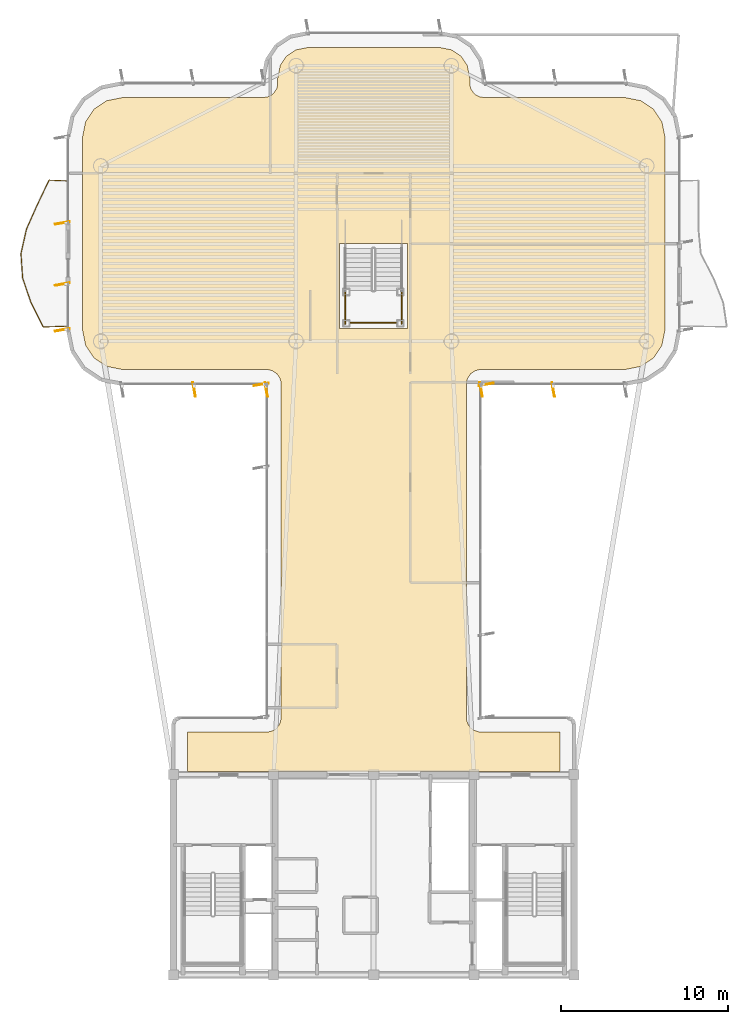
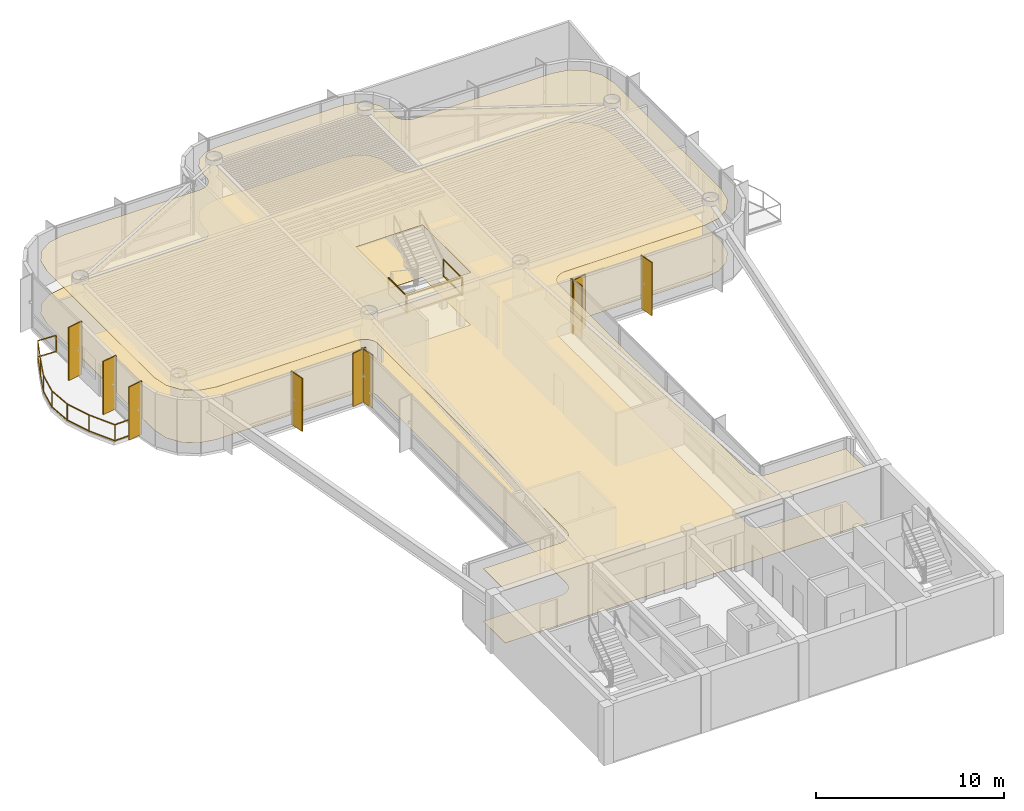
# One storey, part 15 of 17: 9 shading devices, 4 railings, 2 coverings.
"""IFC4 building model written with IfcOpenShell, lengths in metres."""

from ifc_helpers import new_model, si_unit, direction, frame, origin, origin_2d, place, context, subcontext, project, spatial, polyline, rectangle, outline, extrude, source, transform, mapped, material, layer, layer_set, material_profile, profile_set, type_object, element, save


model = new_model("IFC4")

# Units and contexts
model_context = context("Model", 3, precision=1e-05, world=origin(), true_north=direction((0.0, 1.0)))
body_context = subcontext(model_context, "Body", "Model", "MODEL_VIEW")
ifc_project = project(units=[si_unit("LENGTHUNIT", "METRE"), si_unit("AREAUNIT", "SQUARE_METRE"), si_unit("VOLUMEUNIT", "CUBIC_METRE"), si_unit("PLANEANGLEUNIT", "RADIAN"), si_unit("MASSUNIT", "GRAM", prefix="KILO")], contexts=[model_context])

# Site, building, storey
site_placement = place(None, origin())
site = spatial("IfcSite", under=ifc_project, at=site_placement, CompositionType="ELEMENT")
building_placement = place(site_placement, origin())
building = spatial("IfcBuilding", under=site, at=building_placement, Name="Brelvock Crest Care Tower", CompositionType="ELEMENT")
storey_placement = place(building_placement, frame((0.0, 0.0, 287.280029296875)))
storey = spatial("IfcBuildingStorey", under=building, at=storey_placement, Name="L73", CompositionType="ELEMENT", Elevation=287.280029296875)

# Coverings
ifc_material_1 = material(Name="Mineral Fibre Acoustic Ceiling Tile", Category="gypsum")
ifc_layer_1 = layer(ifc_material_1, 0.02490234375, Name="COV-CLG1")
ifc_layer_set_1 = layer_set([ifc_layer_1], Name="Mineral Fibre Acoustic Ceiling Tile")
covering_type_1 = type_object("IfcCoveringType", Name="COV-CLG1", PredefinedType="CEILING", material=ifc_layer_set_1)
covering_1_placement = place(storey_placement, frame((0.0, 0.0, 3.405029296875)))
element("IfcCovering", 1, at=covering_1_placement, inside=storey, type_object=covering_type_1, Name="L73 Acoustic Suspended Ceiling 1", PredefinedType="CEILING", context=body_context, shape_type="SweptSolid", body=[
    extrude(outline(polyline([(24.85009765625, 18.199951171875), (47.14990234375, 18.199951171875), (47.14990234375, 20.550048828125), (42.316650390625, 20.55419921875), (41.999267578125, 20.650390625), (41.799072265625, 20.799072265625), (41.650390625, 20.999267578125), (41.56640625, 21.234130859375), (41.55419921875, 41.4833984375), (41.61474609375, 41.725341796875), (41.799072265625, 42.0009765625), (42.07470703125, 42.185302734375), (42.316650390625, 42.245849609375), (51.016357421875, 42.25), (51.992919921875, 42.4443359375), (52.75, 42.9501953125), (53.255615234375, 43.70703125), (53.449951171875, 44.68359375), (53.449951171875, 56.1162109375), (53.255615234375, 57.093017578125), (52.75, 57.849853515625), (51.992919921875, 58.355712890625), (51.016357421875, 58.550048828125), (42.60009765625, 58.550048828125), (42.353271484375, 58.586669921875), (42.127685546875, 58.693359375), (41.9990234375, 58.799072265625), (41.814697265625, 59.07470703125), (41.754150390625, 59.316650390625), (41.75, 59.71630859375), (41.601318359375, 60.46337890625), (41.2255859375, 61.025634765625), (40.663330078125, 61.4013671875), (39.916259765625, 61.550048828125), (32.083740234375, 61.550048828125), (31.336669921875, 61.4013671875), (30.7744140625, 61.025634765625), (30.398681640625, 60.46337890625), (30.25, 59.71630859375), (30.245849609375, 59.316650390625), (30.185302734375, 59.07470703125), (30.0009765625, 58.799072265625), (29.872314453125, 58.693359375), (29.646728515625, 58.586669921875), (29.39990234375, 58.550048828125), (20.983642578125, 58.550048828125), (20.007080078125, 58.355712890625), (19.25, 57.849853515625), (18.744384765625, 57.093017578125), (18.550048828125, 56.1162109375), (18.550048828125, 44.68359375), (18.744384765625, 43.70703125), (19.25, 42.9501953125), (20.007080078125, 42.4443359375), (20.983642578125, 42.25), (29.683349609375, 42.245849609375), (29.92529296875, 42.185302734375), (30.200927734375, 42.0009765625), (30.349609375, 41.80078125), (30.43359375, 41.56591796875), (30.449951171875, 21.39990234375), (30.413330078125, 21.1533203125), (30.306640625, 20.927734375), (30.13916015625, 20.742919921875), (29.92529296875, 20.61474609375), (29.683349609375, 20.55419921875), (24.85009765625, 20.550048828125), (24.85009765625, 18.199951171875)]), holes=[polyline([(38.02001953125, 49.800048828125), (33.93994140625, 49.800048828125), (33.93994140625, 44.699951171875), (38.02001953125, 44.699951171875), (38.02001953125, 49.800048828125)])]), origin(), (0.0, 0.0, 1.0), 0.02490234375),
])
ifc_material_2 = material(Name="Slip-Resistant Acoustic Vinyl Flooring", Category="finish")
ifc_layer_2 = layer(ifc_material_2, 0.014892578125, Name="COV-FLR1")
ifc_layer_set_2 = layer_set([ifc_layer_2], Name="Slip-Resistant Acoustic Vinyl Flooring")
covering_type_2 = type_object("IfcCoveringType", Name="COV-FLR1", PredefinedType="FLOORING", material=ifc_layer_set_2)
covering_2_placement = place(storey_placement, origin())
element("IfcCovering", 2, at=covering_2_placement, inside=storey, type_object=covering_type_2, Name="L73 Slip-Resistant Acoustic Flooring 1", PredefinedType="FLOORING", context=body_context, shape_type="SweptSolid", body=[
    extrude(outline(polyline([(24.85009765625, 18.199951171875), (47.14990234375, 18.199951171875), (47.14990234375, 20.550048828125), (42.316650390625, 20.55419921875), (41.999267578125, 20.650390625), (41.799072265625, 20.799072265625), (41.650390625, 20.999267578125), (41.56640625, 21.234130859375), (41.55419921875, 41.4833984375), (41.61474609375, 41.725341796875), (41.799072265625, 42.0009765625), (42.07470703125, 42.185302734375), (42.316650390625, 42.245849609375), (51.016357421875, 42.25), (51.992919921875, 42.4443359375), (52.75, 42.9501953125), (53.255615234375, 43.70703125), (53.449951171875, 44.68359375), (53.449951171875, 56.1162109375), (53.255615234375, 57.093017578125), (52.75, 57.849853515625), (51.992919921875, 58.355712890625), (51.016357421875, 58.550048828125), (42.60009765625, 58.550048828125), (42.353271484375, 58.586669921875), (42.127685546875, 58.693359375), (41.9990234375, 58.799072265625), (41.814697265625, 59.07470703125), (41.754150390625, 59.316650390625), (41.75, 59.71630859375), (41.601318359375, 60.46337890625), (41.2255859375, 61.025634765625), (40.663330078125, 61.4013671875), (39.916259765625, 61.550048828125), (32.083740234375, 61.550048828125), (31.336669921875, 61.4013671875), (30.7744140625, 61.025634765625), (30.398681640625, 60.46337890625), (30.25, 59.71630859375), (30.245849609375, 59.316650390625), (30.185302734375, 59.07470703125), (30.0009765625, 58.799072265625), (29.872314453125, 58.693359375), (29.646728515625, 58.586669921875), (29.39990234375, 58.550048828125), (20.983642578125, 58.550048828125), (20.007080078125, 58.355712890625), (19.25, 57.849853515625), (18.744384765625, 57.093017578125), (18.550048828125, 56.1162109375), (18.550048828125, 44.68359375), (18.744384765625, 43.70703125), (19.25, 42.9501953125), (20.007080078125, 42.4443359375), (20.983642578125, 42.25), (29.683349609375, 42.245849609375), (29.92529296875, 42.185302734375), (30.200927734375, 42.0009765625), (30.349609375, 41.80078125), (30.43359375, 41.56591796875), (30.449951171875, 21.39990234375), (30.413330078125, 21.1533203125), (30.306640625, 20.927734375), (30.13916015625, 20.742919921875), (29.92529296875, 20.61474609375), (29.683349609375, 20.55419921875), (24.85009765625, 20.550048828125), (24.85009765625, 18.199951171875)]), holes=[polyline([(38.02001953125, 49.800048828125), (33.93994140625, 49.800048828125), (33.93994140625, 44.699951171875), (38.02001953125, 44.699951171875), (38.02001953125, 49.800048828125)])]), origin(), (0.0, 0.0, 1.0), 0.014892578125),
])

# Railings
ifc_material_3 = material(Name="Dark Glass Double Glazed Low-E", Category="glass")
ifc_layer_3 = layer(ifc_material_3, 0.06005859375, Name="RL-BAL1")
ifc_layer_set_3 = layer_set([ifc_layer_3], Name="Dark Glass Double Glazed Low-E")
railing_type_1 = type_object("IfcRailingType", Name="RL-BAL1", PredefinedType="BALUSTRADE", material=ifc_layer_set_3)
railing_1_placement = place(storey_placement, frame((17.659912109375, 44.85009765625, 0.00390625)))
element("IfcRailing", 3, at=railing_1_placement, inside=storey, type_object=railing_type_1, Name="L73 Safety Balustrade WB-W", PredefinedType="BALUSTRADE", context=body_context, shape_type="SweptSolid", body=[
    extrude(rectangle(XDim=0.048095703125, YDim=0.048095703125, at=origin_2d()), frame((-0.001953125, 0.0, 1.09619140625), z_axis=(-0.999404799616, -0.034497050669, 0.0), x_axis=(0.034497050669, -0.999404799616, 0.0)), (0.0, 0.0, 1.0), 1.44677734375),
    extrude(rectangle(XDim=0.048095703125, YDim=0.048095703125, at=origin_2d()), frame((-0.001953125, 0.0, 0.054931640625), z_axis=(-0.999404799616, -0.034497050669, 0.0), x_axis=(0.034497050669, -0.999404799616, 0.0)), (0.0, 0.0, 1.0), 1.44677734375),
    extrude(rectangle(XDim=0.048095703125, YDim=0.048095703125, at=origin_2d()), frame((-1.450927734375, -0.04833984375, 1.09619140625), z_axis=(-0.448225238773, 0.893920653821, 0.0), x_axis=(-0.893920653821, -0.448225238773, 0.0)), (0.0, 0.0, 1.0), 1.636474609375),
    extrude(rectangle(XDim=0.048095703125, YDim=0.048095703125, at=origin_2d()), frame((-1.450927734375, -0.04833984375, 0.054931640625), z_axis=(-0.448225238773, 0.893920653821, 0.0), x_axis=(-0.893920653821, -0.448225238773, 0.0)), (0.0, 0.0, 1.0), 1.636474609375),
    extrude(rectangle(XDim=0.048095703125, YDim=0.048095703125, at=origin_2d()), frame((-2.18603515625, 1.41845703125, 1.09619140625), z_axis=(-0.321377111723, 0.946951293394, 0.0), x_axis=(-0.946951293394, -0.321377111723, 0.0)), (0.0, 0.0, 1.0), 1.544921875),
    extrude(rectangle(XDim=0.048095703125, YDim=0.048095703125, at=origin_2d()), frame((-2.18603515625, 1.41845703125, 0.054931640625), z_axis=(-0.321377111723, 0.946951293394, 0.0), x_axis=(-0.946951293394, -0.321377111723, 0.0)), (0.0, 0.0, 1.0), 1.544921875),
    extrude(rectangle(XDim=0.048095703125, YDim=0.048095703125, at=origin_2d()), frame((-2.683349609375, 2.88525390625, 1.09619140625), z_axis=(-0.068095275072, 0.997678822825, 0.0), x_axis=(-0.997678822825, -0.068095275072, 0.0)), (0.0, 0.0, 1.0), 1.466064453125),
    extrude(rectangle(XDim=0.048095703125, YDim=0.048095703125, at=origin_2d()), frame((-2.683349609375, 2.88525390625, 0.054931640625), z_axis=(-0.068095275072, 0.997678822825, 0.0), x_axis=(-0.997678822825, -0.068095275072, 0.0)), (0.0, 0.0, 1.0), 1.466064453125),
    extrude(rectangle(XDim=0.048095703125, YDim=0.048095703125, at=origin_2d()), frame((-2.78271484375, 4.351806640625, 1.09619140625), z_axis=(0.219543106889, 0.975602800435, 0.0), x_axis=(-0.975602800435, 0.219543106889, 0.0)), (0.0, 0.0, 1.0), 1.49951171875),
    extrude(rectangle(XDim=0.048095703125, YDim=0.048095703125, at=origin_2d()), frame((-2.78271484375, 4.351806640625, 0.054931640625), z_axis=(0.219543106889, 0.975602800435, 0.0), x_axis=(-0.975602800435, 0.219543106889, 0.0)), (0.0, 0.0, 1.0), 1.49951171875),
    extrude(rectangle(XDim=0.048095703125, YDim=0.048095703125, at=origin_2d()), frame((-2.452392578125, 5.818359375, 1.09619140625), z_axis=(0.407182153329, 0.913346973505, 0.0), x_axis=(-0.913346973505, 0.407182153329, 0.0)), (0.0, 0.0, 1.0), 1.601806640625),
    extrude(rectangle(XDim=0.048095703125, YDim=0.048095703125, at=origin_2d()), frame((-2.452392578125, 5.818359375, 0.054931640625), z_axis=(0.407182153329, 0.913346973505, 0.0), x_axis=(-0.913346973505, 0.407182153329, 0.0)), (0.0, 0.0, 1.0), 1.601806640625),
    extrude(rectangle(XDim=0.048095703125, YDim=0.048095703125, at=origin_2d()), frame((-1.79833984375, 7.284912109375, 1.09619140625), z_axis=(0.430429214624, 0.902624335589, 0.0), x_axis=(-0.902624335589, 0.430429214624, 0.0)), (0.0, 0.0, 1.0), 1.62109375),
    extrude(rectangle(XDim=0.048095703125, YDim=0.048095703125, at=origin_2d()), frame((-1.79833984375, 7.284912109375, 0.054931640625), z_axis=(0.430429214624, 0.902624335589, 0.0), x_axis=(-0.902624335589, 0.430429214624, 0.0)), (0.0, 0.0, 1.0), 1.62109375),
    extrude(rectangle(XDim=0.048095703125, YDim=0.048095703125, at=origin_2d()), frame((-1.097900390625, 8.75, 1.09619140625), z_axis=(0.998966252902, -0.045457953795, 0.0), x_axis=(0.045457953795, 0.998966252902, 0.0)), (0.0, 0.0, 1.0), 1.096923828125),
    extrude(rectangle(XDim=0.048095703125, YDim=0.048095703125, at=origin_2d()), frame((-1.097900390625, 8.75, 0.054931640625), z_axis=(0.998966252902, -0.045457953795, 0.0), x_axis=(0.045457953795, 0.998966252902, 0.0)), (0.0, 0.0, 1.0), 1.096923828125),
    extrude(rectangle(XDim=0.0419921875, YDim=0.0419921875, at=origin_2d()), origin(), (0.0, 0.0, 1.0), 1.070068359375),
    extrude(rectangle(XDim=0.0419921875, YDim=0.0419921875, at=origin_2d()), frame((-1.449951171875, -0.050048828125, 0.0)), (0.0, 0.0, 1.0), 1.070068359375),
    extrude(rectangle(XDim=0.0419921875, YDim=0.0419921875, at=origin_2d()), frame((-2.185302734375, 1.41650390625, 0.0)), (0.0, 0.0, 1.0), 1.070068359375),
    extrude(rectangle(XDim=0.0419921875, YDim=0.0419921875, at=origin_2d()), frame((-2.68310546875, 2.88330078125, 0.0)), (0.0, 0.0, 1.0), 1.070068359375),
    extrude(rectangle(XDim=0.0419921875, YDim=0.0419921875, at=origin_2d()), frame((-2.783203125, 4.349853515625, 0.0)), (0.0, 0.0, 1.0), 1.070068359375),
    extrude(rectangle(XDim=0.0419921875, YDim=0.0419921875, at=origin_2d()), frame((-2.453125, 5.816650390625, 0.0)), (0.0, 0.0, 1.0), 1.070068359375),
    extrude(rectangle(XDim=0.0419921875, YDim=0.0419921875, at=origin_2d()), frame((-1.79931640625, 7.283203125, 0.0)), (0.0, 0.0, 1.0), 1.070068359375),
    extrude(rectangle(XDim=0.0419921875, YDim=0.0419921875, at=origin_2d()), frame((-1.099853515625, 8.75, 0.0)), (0.0, 0.0, 1.0), 1.070068359375),
    extrude(rectangle(XDim=0.0419921875, YDim=0.0419921875, at=origin_2d()), frame((0.0, 8.699951171875, 0.0)), (0.0, 0.0, 1.0), 1.070068359375),
])
ifc_material_4 = material(Name="Steel Grade 350", Category="steel")
ifc_layer_4 = layer(ifc_material_4, 0.050048828125, Name="RL-STG1")
ifc_layer_set_4 = layer_set([ifc_layer_4], Name="Steel Grade 350")
railing_type_2 = type_object("IfcRailingType", Name="RL-STG1", PredefinedType="GUARDRAIL", material=ifc_layer_set_4)
for number, where, name in (
    (4, (34.2900390625, 46.97998046875, 1.889892578125), "L73 ST-6 stair guard 3"),
    (5, (37.669921875, 46.97998046875, 1.889892578125), "L73 ST-6 stair guard 4"),
):
    element("IfcRailing", number, at=place(storey_placement, frame(where)), inside=storey, type_object=railing_type_2, Name=name, PredefinedType="GUARDRAIL", context=body_context, shape_type="SweptSolid", body=[
        extrude(rectangle(XDim=0.048095703125, YDim=0.048095703125, at=origin_2d()), frame((0.0, -0.001953125, 1.11572265625), z_axis=(0.0, -1.0, 0.0), x_axis=(1.0, 0.0, 0.0)), (0.0, 0.0, 1.0), 1.97607421875),
        extrude(rectangle(XDim=0.048095703125, YDim=0.048095703125, at=origin_2d()), frame((0.0, -0.001953125, 0.054931640625), z_axis=(0.0, -1.0, 0.0), x_axis=(1.0, 0.0, 0.0)), (0.0, 0.0, 1.0), 1.97607421875),
        extrude(rectangle(XDim=0.0419921875, YDim=0.0419921875, at=origin_2d()), origin(), (0.0, 0.0, 1.0), 1.08984375),
        extrude(rectangle(XDim=0.0419921875, YDim=0.0419921875, at=origin_2d()), frame((0.0, -1.97998046875, 0.0)), (0.0, 0.0, 1.0), 1.08984375),
    ])
railing_2_placement = place(storey_placement, frame((34.239990234375, 45.050048828125, 1.889892578125)))
element("IfcRailing", 6, at=railing_2_placement, inside=storey, type_object=railing_type_2, Name="L73 ST-6 stair guard 5", PredefinedType="GUARDRAIL", context=body_context, shape_type="SweptSolid", body=[
    extrude(rectangle(XDim=0.048095703125, YDim=0.048095703125, at=origin_2d()), frame((0.001953125, 0.0, 1.11572265625), z_axis=(1.0, 0.0, 0.0), x_axis=(0.0, 1.0, 0.0)), (0.0, 0.0, 1.0), 3.47607421875),
    extrude(rectangle(XDim=0.048095703125, YDim=0.048095703125, at=origin_2d()), frame((0.001953125, 0.0, 0.054931640625), z_axis=(1.0, 0.0, 0.0), x_axis=(0.0, 1.0, 0.0)), (0.0, 0.0, 1.0), 3.47607421875),
    extrude(rectangle(XDim=0.0419921875, YDim=0.0419921875, at=origin_2d()), origin(), (0.0, 0.0, 1.0), 1.08984375),
    extrude(rectangle(XDim=0.0419921875, YDim=0.0419921875, at=origin_2d()), frame((3.47998046875, 0.0, 0.0)), (0.0, 0.0, 1.0), 1.08984375),
])

# Shading devices
ifc_material_5 = material(Name="Aluminium 6063-T6", Category="aluminium")
ifc_material_profile = material_profile(ifc_material_5, rectangle(XDim=0.054931640625, YDim=0.89990234375, at=origin_2d()), Name="FIN55x900")
ifc_profile_set = profile_set([ifc_material_profile], Name="Aluminium 6063-T6")
shading_device_type = type_object("IfcShadingDeviceType", Name="SHD-FIN1", PredefinedType="USERDEFINED", material=ifc_profile_set)
shared_shape = source(origin(), body_context, "Body", "SweptSolid", [
    extrude(rectangle(XDim=0.054931640625, YDim=0.89990234375, at=origin_2d()), origin(), (0.0, 0.0, 1.0), 3.4599609375),
])
for number, where, z_axis, x_axis, name in (
    (7, (29.260009765625, 41.367431640625, 0.0), (0.0, 0.0, 1.0), (-0.173648177667, 0.984807753012, 0.0), "L73 Vertical Sunshade Fin E11-05"),
    (8, (29.5673828125, 41.06005859375, 0.0), (0.0, 0.0, 1.0), (-0.984807753012, -0.173648177667, 0.0), "L73 Vertical Sunshade Fin E12-01"),
    (9, (25.25, 41.06005859375, 0.0), (0.0, 0.0, 1.0), (-0.984807753012, -0.173648177667, 0.0), "L73 Vertical Sunshade Fin E12-02"),
    (10, (17.360107421875, 44.632568359375, 0.0), (0.0, 0.0, 1.0), (-0.173648177667, 0.984807753012, 0.0), "L73 Vertical Sunshade Fin E17A-01"),
    (11, (17.360107421875, 47.367431640625, 0.0), (0.0, 0.0, 1.0), (-0.173648177667, 0.984807753012, 0.0), "L73 Vertical Sunshade Fin E17A-02"),
    (12, (17.360107421875, 51.032470703125, 0.0), (0.0, 0.0, 1.0), (-0.173648177667, 0.984807753012, 0.0), "L73 Vertical Sunshade Fin E17B-01"),
    (13, (46.75, 41.06005859375, 0.0), (0.0, 0.0, 1.0), (-0.984807753012, -0.173648177667, 0.0), "L73 Vertical Sunshade Fin E44-02"),
    (14, (42.4326171875, 41.06005859375, 0.0), (0.0, 0.0, 1.0), (-0.984807753012, -0.173648177667, 0.0), "L73 Vertical Sunshade Fin E44-03"),
    (15, (42.739990234375, 41.367431640625, 0.0), (0.0, 0.0, 1.0), (0.173648177667, -0.984807753012, 0.0), "L73 Vertical Sunshade Fin E45-01"),
):
    element("IfcShadingDevice", number, at=place(storey_placement, frame(where, z_axis=z_axis, x_axis=x_axis)), inside=storey, type_object=shading_device_type, Name=name, ObjectType="FIN", PredefinedType="USERDEFINED", context=body_context, shape_type="MappedRepresentation", body=[
        mapped(shared_shape, transform((0.0, 0.0, 0.0), x_axis=(1.0, 0.0, 0.0), y_axis=(0.0, 1.0, 0.0), z_axis=(0.0, 0.0, 1.0), scale=1.0)),
    ])

save(model, "model.ifc")
